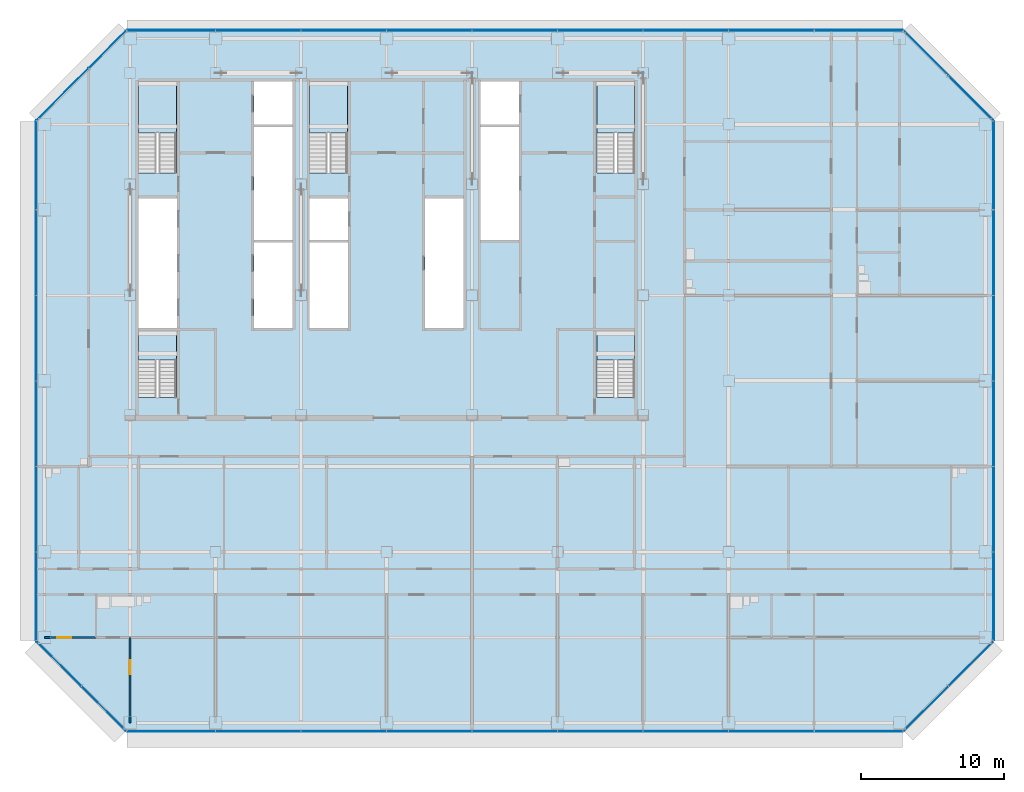
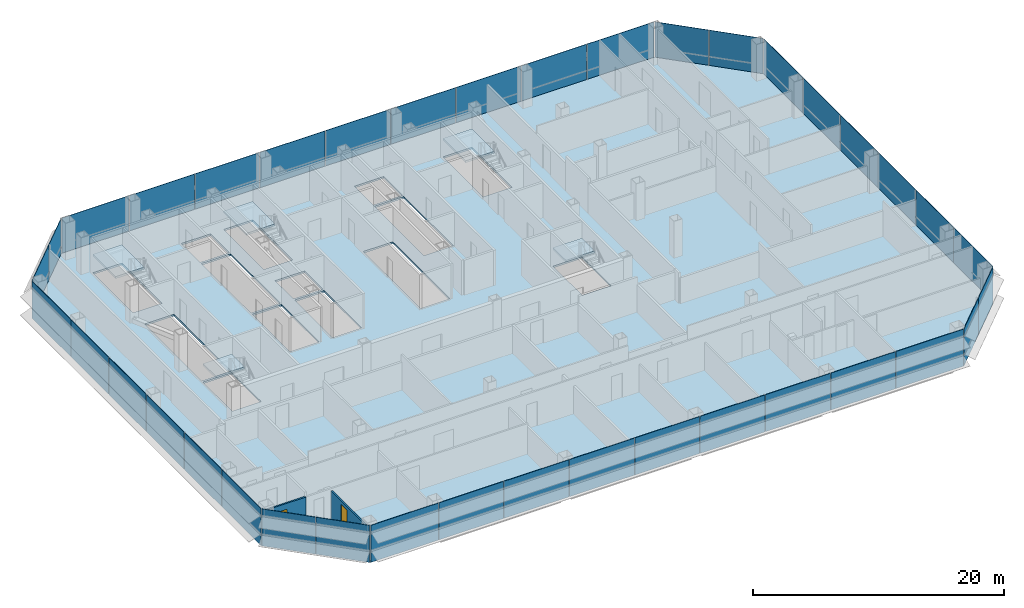
# One storey, part 19 of 27: 38 plates, 6 slabs, 2 doors, 2 walls, 2 openings, 13 elements without a shape of their own.
"""IFC4 building model written with IfcOpenShell, lengths in metres."""

from ifc_helpers import new_model, si_unit, direction, frame, frame_2d, origin, origin_2d, place, context, subcontext, project, spatial, polyline, rectangle, outline, extrude, material, layer, layer_set, type_object, element, fill, aggregate, save


model = new_model("IFC4")

# Units and contexts
model_context = context("Model", 3, precision=1e-05, world=origin(), true_north=direction((0.0, 1.0)))
body_context = subcontext(model_context, "Body", "Model", "MODEL_VIEW")
ifc_project = project(units=[si_unit("LENGTHUNIT", "METRE"), si_unit("AREAUNIT", "SQUARE_METRE"), si_unit("VOLUMEUNIT", "CUBIC_METRE"), si_unit("PLANEANGLEUNIT", "RADIAN"), si_unit("MASSUNIT", "GRAM", prefix="KILO")], contexts=[model_context])

# Site, building, storey
site_placement = place(None, origin())
site = spatial("IfcSite", under=ifc_project, at=site_placement, CompositionType="ELEMENT")
building_placement = place(site_placement, origin())
building = spatial("IfcBuilding", under=site, at=building_placement, Name="Sorahane Residences", CompositionType="ELEMENT")
storey_placement = place(building_placement, frame((0.0, 0.0, 75.0)))
storey = spatial("IfcBuildingStorey", under=building, at=storey_placement, Name="L15", CompositionType="ELEMENT", Elevation=75.0)

# Slab
ifc_material_1 = material(Name="Concrete C35", Category="concrete")
ifc_layer_1 = layer(ifc_material_1, 0.179931640625)
ifc_layer_set_1 = layer_set([ifc_layer_1], Name="Composite floor slab 180 mm Concrete C35")
slab_type_1 = type_object("IfcSlabType", Name="Composite floor slab 180 mm Concrete C35", PredefinedType="FLOOR", material=ifc_layer_set_1)
slab_1_placement = place(storey_placement, frame((0.0, 0.0, -0.179931640625)))
element("IfcSlab", 1, at=slab_1_placement, inside=storey, type_object=slab_type_1, Name="Slab L15", PredefinedType="FLOOR", context=body_context, shape_type="SweptSolid", body=[
    extrude(outline(polyline([(5.75146484375, -0.60009765625), (-0.60009765625, 5.75146484375), (-0.60009765625, 42.24853515625), (5.75146484375, 48.60009765625), (60.24853515625, 48.60009765625), (66.60009765625, 42.24853515625), (66.60009765625, 5.75146484375), (60.24853515625, -0.60009765625), (5.75146484375, -0.60009765625)]), holes=[polyline([(18.60009765625, 27.699951171875), (21.300048828125, 27.699951171875), (21.300048828125, 33.699951171875), (18.60009765625, 33.699951171875), (18.60009765625, 27.699951171875)]), polyline([(30.60009765625, 42.0), (33.300048828125, 42.0), (33.300048828125, 45.0), (30.60009765625, 45.0), (30.60009765625, 42.0)]), polyline([(14.699951171875, 27.699951171875), (17.39990234375, 27.699951171875), (17.39990234375, 33.699951171875), (14.699951171875, 33.699951171875), (14.699951171875, 27.699951171875)]), polyline([(14.699951171875, 42.0), (17.39990234375, 42.0), (17.39990234375, 45.0), (14.699951171875, 45.0), (14.699951171875, 42.0)]), polyline([(6.60009765625, 27.699951171875), (9.300048828125, 27.699951171875), (9.300048828125, 36.800048828125), (6.60009765625, 36.800048828125), (6.60009765625, 27.699951171875)]), polyline([(9.25, 38.60009765625), (9.25, 45.0), (6.60009765625, 45.0), (6.60009765625, 38.60009765625), (9.25, 38.60009765625)]), polyline([(41.39990234375, 38.60009765625), (41.39990234375, 45.0), (38.75, 45.0), (38.75, 38.60009765625), (41.39990234375, 38.60009765625)]), polyline([(21.25, 38.60009765625), (21.25, 45.0), (18.60009765625, 45.0), (18.60009765625, 38.60009765625), (21.25, 38.60009765625)]), polyline([(9.25, 22.85009765625), (9.25, 27.5), (6.60009765625, 27.5), (6.60009765625, 22.85009765625), (9.25, 22.85009765625)]), polyline([(41.39990234375, 22.85009765625), (41.39990234375, 27.5), (38.75, 27.5), (38.75, 22.85009765625), (41.39990234375, 22.85009765625)]), polyline([(14.699951171875, 33.89990234375), (17.39990234375, 33.89990234375), (17.39990234375, 41.800048828125), (14.699951171875, 41.800048828125), (14.699951171875, 33.89990234375)]), polyline([(30.60009765625, 33.89990234375), (33.300048828125, 33.89990234375), (33.300048828125, 41.800048828125), (30.60009765625, 41.800048828125), (30.60009765625, 33.89990234375)]), polyline([(18.60009765625, 33.89990234375), (21.300048828125, 33.89990234375), (21.300048828125, 36.800048828125), (18.60009765625, 36.800048828125), (18.60009765625, 33.89990234375)]), polyline([(26.699951171875, 27.699951171875), (29.39990234375, 27.699951171875), (29.39990234375, 36.800048828125), (26.699951171875, 36.800048828125), (26.699951171875, 27.699951171875)])]), origin(), (0.0, 0.0, 1.0), 0.179931640625),
])

# Curtain wall, plates
ifc_material_2 = material(Name="Dark low-e glass and black anodised aluminium", Category="aluminium")
curtain_wall_type_1 = type_object("IfcCurtainWallType", Name="Curtain wall CW-1 Typical unitised wall", PredefinedType="NOTDEFINED", material=ifc_material_2)
curtain_wall_1_placement = place(storey_placement, origin())
curtain_wall_1 = element("IfcCurtainWall", 2, at=curtain_wall_1_placement, inside=storey, type_object=curtain_wall_type_1, Name="CW-1 curtain wall L15 S1", PredefinedType="NOTDEFINED")
ifc_material_3 = material(Name="Dark low-e glass with black ceramic frit", Category="glass")
ifc_layer_2 = layer(ifc_material_3, 0.0400390625)
ifc_layer_set_2 = layer_set([ifc_layer_2], Name="Curtain wall glass panel dark low-e with black frit spandrel band")
plate_type = type_object("IfcPlateType", Name="Curtain wall glass panel dark low-e with black frit spandrel band", PredefinedType="CURTAIN_PANEL", material=ifc_layer_set_2)
plate_1_placement = place(storey_placement, frame((8.88818359375, -0.60009765625, -0.179931640625), z_axis=(0.0, 0.0, 1.0), x_axis=(1.0, 0.0, 0.0)))
plate_1 = element("IfcPlate", 3, at=plate_1_placement, type_object=plate_type, Name="CW-1 glass panel L15 S1.1", PredefinedType="CURTAIN_PANEL", context=body_context, shape_type="SweptSolid", body=[
    extrude(rectangle(XDim=6.173583984375, YDim=0.0400390625, at=origin_2d()), origin(), (0.0, 0.0, 1.0), 3.60009765625),
])
plate_2_placement = place(storey_placement, frame((15.0, -0.60009765625, -0.179931640625), z_axis=(0.0, 0.0, 1.0), x_axis=(1.0, 0.0, 0.0)))
plate_2 = element("IfcPlate", 4, at=plate_2_placement, type_object=plate_type, Name="CW-1 glass panel L15 S1.2", PredefinedType="CURTAIN_PANEL", context=body_context, shape_type="SweptSolid", body=[
    extrude(rectangle(XDim=5.949951171875, YDim=0.0400390625, at=origin_2d()), origin(), (0.0, 0.0, 1.0), 3.60009765625),
])
plate_3_placement = place(storey_placement, frame((21.0, -0.60009765625, -0.179931640625), z_axis=(0.0, 0.0, 1.0), x_axis=(1.0, 0.0, 0.0)))
plate_3 = element("IfcPlate", 5, at=plate_3_placement, type_object=plate_type, Name="CW-1 glass panel L15 S1.3", PredefinedType="CURTAIN_PANEL", context=body_context, shape_type="SweptSolid", body=[
    extrude(rectangle(XDim=5.949951171875, YDim=0.0400390625, at=origin_2d()), origin(), (0.0, 0.0, 1.0), 3.60009765625),
])
plate_4_placement = place(storey_placement, frame((27.0, -0.60009765625, -0.179931640625), z_axis=(0.0, 0.0, 1.0), x_axis=(1.0, 0.0, 0.0)))
plate_4 = element("IfcPlate", 6, at=plate_4_placement, type_object=plate_type, Name="CW-1 glass panel L15 S1.4", PredefinedType="CURTAIN_PANEL", context=body_context, shape_type="SweptSolid", body=[
    extrude(rectangle(XDim=5.949951171875, YDim=0.0400390625, at=origin_2d()), origin(), (0.0, 0.0, 1.0), 3.60009765625),
])
plate_5_placement = place(storey_placement, frame((33.0, -0.60009765625, -0.179931640625), z_axis=(0.0, 0.0, 1.0), x_axis=(1.0, 0.0, 0.0)))
plate_5 = element("IfcPlate", 7, at=plate_5_placement, type_object=plate_type, Name="CW-1 glass panel L15 S1.5", PredefinedType="CURTAIN_PANEL", context=body_context, shape_type="SweptSolid", body=[
    extrude(rectangle(XDim=5.949951171875, YDim=0.0400390625, at=origin_2d()), origin(), (0.0, 0.0, 1.0), 3.60009765625),
])
plate_6_placement = place(storey_placement, frame((39.0, -0.60009765625, -0.179931640625), z_axis=(0.0, 0.0, 1.0), x_axis=(1.0, 0.0, 0.0)))
plate_6 = element("IfcPlate", 8, at=plate_6_placement, type_object=plate_type, Name="CW-1 glass panel L15 S1.6", PredefinedType="CURTAIN_PANEL", context=body_context, shape_type="SweptSolid", body=[
    extrude(rectangle(XDim=5.949951171875, YDim=0.0400390625, at=origin_2d()), origin(), (0.0, 0.0, 1.0), 3.60009765625),
])
plate_7_placement = place(storey_placement, frame((45.0, -0.60009765625, -0.179931640625), z_axis=(0.0, 0.0, 1.0), x_axis=(1.0, 0.0, 0.0)))
plate_7 = element("IfcPlate", 9, at=plate_7_placement, type_object=plate_type, Name="CW-1 glass panel L15 S1.7", PredefinedType="CURTAIN_PANEL", context=body_context, shape_type="SweptSolid", body=[
    extrude(rectangle(XDim=5.949951171875, YDim=0.0400390625, at=origin_2d()), origin(), (0.0, 0.0, 1.0), 3.60009765625),
])
plate_8_placement = place(storey_placement, frame((51.0, -0.60009765625, -0.179931640625), z_axis=(0.0, 0.0, 1.0), x_axis=(1.0, 0.0, 0.0)))
plate_8 = element("IfcPlate", 10, at=plate_8_placement, type_object=plate_type, Name="CW-1 glass panel L15 S1.8", PredefinedType="CURTAIN_PANEL", context=body_context, shape_type="SweptSolid", body=[
    extrude(rectangle(XDim=5.949951171875, YDim=0.0400390625, at=origin_2d()), origin(), (0.0, 0.0, 1.0), 3.60009765625),
])
plate_9_placement = place(storey_placement, frame((57.11181640625, -0.60009765625, -0.179931640625), z_axis=(0.0, 0.0, 1.0), x_axis=(1.0, 0.0, 0.0)))
plate_9 = element("IfcPlate", 11, at=plate_9_placement, type_object=plate_type, Name="CW-1 glass panel L15 S1.9", PredefinedType="CURTAIN_PANEL", context=body_context, shape_type="SweptSolid", body=[
    extrude(rectangle(XDim=6.173583984375, YDim=0.0400390625, at=origin_2d()), origin(), (0.0, 0.0, 1.0), 3.60009765625),
])
aggregate(curtain_wall_1, [plate_1, plate_2, plate_3, plate_4, plate_5, plate_6, plate_7, plate_8, plate_9])

ifc_material_4 = material(Name="Dark low-e glass and black anodised aluminium", Category="aluminium")
curtain_wall_type_2 = type_object("IfcCurtainWallType", Name="Curtain wall CW-2 Chamfer unitised wall", PredefinedType="NOTDEFINED", material=ifc_material_4)
curtain_wall_2_placement = place(storey_placement, origin())
curtain_wall_2 = element("IfcCurtainWall", 12, at=curtain_wall_2_placement, inside=storey, type_object=curtain_wall_type_2, Name="CW-2 curtain wall L15 SE1", PredefinedType="NOTDEFINED")
plate_10_placement = place(storey_placement, frame((61.84521484375, 0.996826171875, -0.179931640625), z_axis=(0.0, 0.0, 1.0), x_axis=(0.707106781187, 0.707106781187, 0.0)))
plate_10 = element("IfcPlate", 13, at=plate_10_placement, type_object=plate_type, Name="CW-2 glass panel L15 SE1.1", PredefinedType="CURTAIN_PANEL", context=body_context, shape_type="SweptSolid", body=[
    extrude(rectangle(XDim=4.416259765625, YDim=0.0400390625, at=origin_2d()), origin(), (0.0, 0.0, 1.0), 3.60009765625),
])
plate_11_placement = place(storey_placement, frame((65.003173828125, 4.15478515625, -0.179931640625), z_axis=(0.0, 0.0, 1.0), x_axis=(0.707106781187, 0.707106781187, 0.0)))
plate_11 = element("IfcPlate", 14, at=plate_11_placement, type_object=plate_type, Name="CW-2 glass panel L15 SE1.2", PredefinedType="CURTAIN_PANEL", context=body_context, shape_type="SweptSolid", body=[
    extrude(rectangle(XDim=4.416259765625, YDim=0.0400390625, at=origin_2d()), origin(), (0.0, 0.0, 1.0), 3.60009765625),
])
aggregate(curtain_wall_2, [plate_10, plate_11])

curtain_wall_3_placement = place(storey_placement, origin())
curtain_wall_3 = element("IfcCurtainWall", 15, at=curtain_wall_3_placement, inside=storey, type_object=curtain_wall_type_1, Name="CW-1 curtain wall L15 E1", PredefinedType="NOTDEFINED")
plate_12_placement = place(storey_placement, frame((66.60009765625, 8.88818359375, -0.179931640625), z_axis=(0.0, 0.0, 1.0), x_axis=(0.0, 1.0, 0.0)))
plate_12 = element("IfcPlate", 16, at=plate_12_placement, type_object=plate_type, Name="CW-1 glass panel L15 E1.1", PredefinedType="CURTAIN_PANEL", context=body_context, shape_type="SweptSolid", body=[
    extrude(rectangle(XDim=6.173583984375, YDim=0.0400390625, at=origin_2d()), origin(), (0.0, 0.0, 1.0), 3.60009765625),
])
plate_13_placement = place(storey_placement, frame((66.60009765625, 15.0, -0.179931640625), z_axis=(0.0, 0.0, 1.0), x_axis=(0.0, 1.0, 0.0)))
plate_13 = element("IfcPlate", 17, at=plate_13_placement, type_object=plate_type, Name="CW-1 glass panel L15 E1.2", PredefinedType="CURTAIN_PANEL", context=body_context, shape_type="SweptSolid", body=[
    extrude(rectangle(XDim=5.949951171875, YDim=0.0400390625, at=origin_2d()), origin(), (0.0, 0.0, 1.0), 3.60009765625),
])
plate_14_placement = place(storey_placement, frame((66.60009765625, 21.0, -0.179931640625), z_axis=(0.0, 0.0, 1.0), x_axis=(0.0, 1.0, 0.0)))
plate_14 = element("IfcPlate", 18, at=plate_14_placement, type_object=plate_type, Name="CW-1 glass panel L15 E1.3", PredefinedType="CURTAIN_PANEL", context=body_context, shape_type="SweptSolid", body=[
    extrude(rectangle(XDim=5.949951171875, YDim=0.0400390625, at=origin_2d()), origin(), (0.0, 0.0, 1.0), 3.60009765625),
])
plate_15_placement = place(storey_placement, frame((66.60009765625, 27.0, -0.179931640625), z_axis=(0.0, 0.0, 1.0), x_axis=(0.0, 1.0, 0.0)))
plate_15 = element("IfcPlate", 19, at=plate_15_placement, type_object=plate_type, Name="CW-1 glass panel L15 E1.4", PredefinedType="CURTAIN_PANEL", context=body_context, shape_type="SweptSolid", body=[
    extrude(rectangle(XDim=5.949951171875, YDim=0.0400390625, at=origin_2d()), origin(), (0.0, 0.0, 1.0), 3.60009765625),
])
plate_16_placement = place(storey_placement, frame((66.60009765625, 33.0, -0.179931640625), z_axis=(0.0, 0.0, 1.0), x_axis=(0.0, 1.0, 0.0)))
plate_16 = element("IfcPlate", 20, at=plate_16_placement, type_object=plate_type, Name="CW-1 glass panel L15 E1.5", PredefinedType="CURTAIN_PANEL", context=body_context, shape_type="SweptSolid", body=[
    extrude(rectangle(XDim=5.949951171875, YDim=0.0400390625, at=origin_2d()), origin(), (0.0, 0.0, 1.0), 3.60009765625),
])
plate_17_placement = place(storey_placement, frame((66.60009765625, 39.11181640625, -0.179931640625), z_axis=(0.0, 0.0, 1.0), x_axis=(0.0, 1.0, 0.0)))
plate_17 = element("IfcPlate", 21, at=plate_17_placement, type_object=plate_type, Name="CW-1 glass panel L15 E1.6", PredefinedType="CURTAIN_PANEL", context=body_context, shape_type="SweptSolid", body=[
    extrude(rectangle(XDim=6.173583984375, YDim=0.0400390625, at=origin_2d()), origin(), (0.0, 0.0, 1.0), 3.60009765625),
])
aggregate(curtain_wall_3, [plate_12, plate_13, plate_14, plate_15, plate_16, plate_17])

curtain_wall_4_placement = place(storey_placement, origin())
curtain_wall_4 = element("IfcCurtainWall", 22, at=curtain_wall_4_placement, inside=storey, type_object=curtain_wall_type_2, Name="CW-2 curtain wall L15 NE1", PredefinedType="NOTDEFINED")
plate_18_placement = place(storey_placement, frame((65.003173828125, 43.84521484375, -0.179931640625), z_axis=(0.0, 0.0, 1.0), x_axis=(-0.707106781187, 0.707106781187, 0.0)))
plate_18 = element("IfcPlate", 23, at=plate_18_placement, type_object=plate_type, Name="CW-2 glass panel L15 NE1.1", PredefinedType="CURTAIN_PANEL", context=body_context, shape_type="SweptSolid", body=[
    extrude(rectangle(XDim=4.416259765625, YDim=0.0400390625, at=origin_2d()), origin(), (0.0, 0.0, 1.0), 3.60009765625),
])
plate_19_placement = place(storey_placement, frame((61.84521484375, 47.003173828125, -0.179931640625), z_axis=(0.0, 0.0, 1.0), x_axis=(-0.707106781187, 0.707106781187, 0.0)))
plate_19 = element("IfcPlate", 24, at=plate_19_placement, type_object=plate_type, Name="CW-2 glass panel L15 NE1.2", PredefinedType="CURTAIN_PANEL", context=body_context, shape_type="SweptSolid", body=[
    extrude(rectangle(XDim=4.416259765625, YDim=0.0400390625, at=origin_2d()), origin(), (0.0, 0.0, 1.0), 3.60009765625),
])
aggregate(curtain_wall_4, [plate_18, plate_19])

curtain_wall_5_placement = place(storey_placement, origin())
curtain_wall_5 = element("IfcCurtainWall", 25, at=curtain_wall_5_placement, inside=storey, type_object=curtain_wall_type_1, Name="CW-1 curtain wall L15 N1", PredefinedType="NOTDEFINED")
plate_20_placement = place(storey_placement, frame((57.11181640625, 48.60009765625, -0.179931640625), z_axis=(0.0, 0.0, 1.0), x_axis=(-1.0, 0.0, 0.0)))
plate_20 = element("IfcPlate", 26, at=plate_20_placement, type_object=plate_type, Name="CW-1 glass panel L15 N1.1", PredefinedType="CURTAIN_PANEL", context=body_context, shape_type="SweptSolid", body=[
    extrude(rectangle(XDim=6.173583984375, YDim=0.0400390625, at=origin_2d()), origin(), (0.0, 0.0, 1.0), 3.60009765625),
])
plate_21_placement = place(storey_placement, frame((51.0, 48.60009765625, -0.179931640625), z_axis=(0.0, 0.0, 1.0), x_axis=(-1.0, 0.0, 0.0)))
plate_21 = element("IfcPlate", 27, at=plate_21_placement, type_object=plate_type, Name="CW-1 glass panel L15 N1.2", PredefinedType="CURTAIN_PANEL", context=body_context, shape_type="SweptSolid", body=[
    extrude(rectangle(XDim=5.949951171875, YDim=0.0400390625, at=origin_2d()), origin(), (0.0, 0.0, 1.0), 3.60009765625),
])
plate_22_placement = place(storey_placement, frame((45.0, 48.60009765625, -0.179931640625), z_axis=(0.0, 0.0, 1.0), x_axis=(-1.0, 0.0, 0.0)))
plate_22 = element("IfcPlate", 28, at=plate_22_placement, type_object=plate_type, Name="CW-1 glass panel L15 N1.3", PredefinedType="CURTAIN_PANEL", context=body_context, shape_type="SweptSolid", body=[
    extrude(rectangle(XDim=5.949951171875, YDim=0.0400390625, at=origin_2d()), origin(), (0.0, 0.0, 1.0), 3.60009765625),
])
plate_23_placement = place(storey_placement, frame((39.0, 48.60009765625, -0.179931640625), z_axis=(0.0, 0.0, 1.0), x_axis=(-1.0, 0.0, 0.0)))
plate_23 = element("IfcPlate", 29, at=plate_23_placement, type_object=plate_type, Name="CW-1 glass panel L15 N1.4", PredefinedType="CURTAIN_PANEL", context=body_context, shape_type="SweptSolid", body=[
    extrude(rectangle(XDim=5.949951171875, YDim=0.0400390625, at=origin_2d()), origin(), (0.0, 0.0, 1.0), 3.60009765625),
])
plate_24_placement = place(storey_placement, frame((33.0, 48.60009765625, -0.179931640625), z_axis=(0.0, 0.0, 1.0), x_axis=(-1.0, 0.0, 0.0)))
plate_24 = element("IfcPlate", 30, at=plate_24_placement, type_object=plate_type, Name="CW-1 glass panel L15 N1.5", PredefinedType="CURTAIN_PANEL", context=body_context, shape_type="SweptSolid", body=[
    extrude(rectangle(XDim=5.949951171875, YDim=0.0400390625, at=origin_2d()), origin(), (0.0, 0.0, 1.0), 3.60009765625),
])
plate_25_placement = place(storey_placement, frame((27.0, 48.60009765625, -0.179931640625), z_axis=(0.0, 0.0, 1.0), x_axis=(-1.0, 0.0, 0.0)))
plate_25 = element("IfcPlate", 31, at=plate_25_placement, type_object=plate_type, Name="CW-1 glass panel L15 N1.6", PredefinedType="CURTAIN_PANEL", context=body_context, shape_type="SweptSolid", body=[
    extrude(rectangle(XDim=5.949951171875, YDim=0.0400390625, at=origin_2d()), origin(), (0.0, 0.0, 1.0), 3.60009765625),
])
plate_26_placement = place(storey_placement, frame((21.0, 48.60009765625, -0.179931640625), z_axis=(0.0, 0.0, 1.0), x_axis=(-1.0, 0.0, 0.0)))
plate_26 = element("IfcPlate", 32, at=plate_26_placement, type_object=plate_type, Name="CW-1 glass panel L15 N1.7", PredefinedType="CURTAIN_PANEL", context=body_context, shape_type="SweptSolid", body=[
    extrude(rectangle(XDim=5.949951171875, YDim=0.0400390625, at=origin_2d()), origin(), (0.0, 0.0, 1.0), 3.60009765625),
])
plate_27_placement = place(storey_placement, frame((15.0, 48.60009765625, -0.179931640625), z_axis=(0.0, 0.0, 1.0), x_axis=(-1.0, 0.0, 0.0)))
plate_27 = element("IfcPlate", 33, at=plate_27_placement, type_object=plate_type, Name="CW-1 glass panel L15 N1.8", PredefinedType="CURTAIN_PANEL", context=body_context, shape_type="SweptSolid", body=[
    extrude(rectangle(XDim=5.949951171875, YDim=0.0400390625, at=origin_2d()), origin(), (0.0, 0.0, 1.0), 3.60009765625),
])
plate_28_placement = place(storey_placement, frame((8.88818359375, 48.60009765625, -0.179931640625), z_axis=(0.0, 0.0, 1.0), x_axis=(-1.0, 0.0, 0.0)))
plate_28 = element("IfcPlate", 34, at=plate_28_placement, type_object=plate_type, Name="CW-1 glass panel L15 N1.9", PredefinedType="CURTAIN_PANEL", context=body_context, shape_type="SweptSolid", body=[
    extrude(rectangle(XDim=6.173583984375, YDim=0.0400390625, at=origin_2d()), origin(), (0.0, 0.0, 1.0), 3.60009765625),
])
aggregate(curtain_wall_5, [plate_20, plate_21, plate_22, plate_23, plate_24, plate_25, plate_26, plate_27, plate_28])

curtain_wall_6_placement = place(storey_placement, origin())
curtain_wall_6 = element("IfcCurtainWall", 35, at=curtain_wall_6_placement, inside=storey, type_object=curtain_wall_type_2, Name="CW-2 curtain wall L15 NW1", PredefinedType="NOTDEFINED")
plate_29_placement = place(storey_placement, frame((4.4169921875, 47.265625, -0.179931640625), z_axis=(0.0, 0.0, 1.0), x_axis=(-0.707106781187, -0.707106781187, 0.0)))
plate_29 = element("IfcPlate", 36, at=plate_29_placement, type_object=plate_type, Name="CW-2 glass panel L15 NW1.1", PredefinedType="CURTAIN_PANEL", context=body_context, shape_type="SweptSolid", body=[
    extrude(rectangle(XDim=3.67431640625, YDim=0.0400390625, at=origin_2d()), origin(), (0.0, 0.0, 1.0), 3.60009765625),
])
plate_30_placement = place(storey_placement, frame((1.259033203125, 44.107421875, -0.179931640625), z_axis=(0.0, 0.0, 1.0), x_axis=(-0.707106781187, -0.707106781187, 0.0)))
plate_30 = element("IfcPlate", 37, at=plate_30_placement, type_object=plate_type, Name="CW-2 glass panel L15 NW1.2", PredefinedType="CURTAIN_PANEL", context=body_context, shape_type="SweptSolid", body=[
    extrude(rectangle(XDim=5.157958984375, YDim=0.0400390625, at=origin_2d()), origin(), (0.0, 0.0, 1.0), 3.60009765625),
])
aggregate(curtain_wall_6, [plate_29, plate_30])

curtain_wall_7_placement = place(storey_placement, origin())
curtain_wall_7 = element("IfcCurtainWall", 38, at=curtain_wall_7_placement, inside=storey, type_object=curtain_wall_type_1, Name="CW-1 curtain wall L15 W1", PredefinedType="NOTDEFINED")
plate_31_placement = place(storey_placement, frame((-0.60009765625, 39.11181640625, -0.179931640625), z_axis=(0.0, 0.0, 1.0), x_axis=(0.0, -1.0, 0.0)))
plate_31 = element("IfcPlate", 39, at=plate_31_placement, type_object=plate_type, Name="CW-1 glass panel L15 W1.1", PredefinedType="CURTAIN_PANEL", context=body_context, shape_type="SweptSolid", body=[
    extrude(rectangle(XDim=6.173583984375, YDim=0.0400390625, at=origin_2d()), origin(), (0.0, 0.0, 1.0), 3.60009765625),
])
plate_32_placement = place(storey_placement, frame((-0.60009765625, 33.0, -0.179931640625), z_axis=(0.0, 0.0, 1.0), x_axis=(0.0, -1.0, 0.0)))
plate_32 = element("IfcPlate", 40, at=plate_32_placement, type_object=plate_type, Name="CW-1 glass panel L15 W1.2", PredefinedType="CURTAIN_PANEL", context=body_context, shape_type="SweptSolid", body=[
    extrude(rectangle(XDim=5.949951171875, YDim=0.0400390625, at=origin_2d()), origin(), (0.0, 0.0, 1.0), 3.60009765625),
])
plate_33_placement = place(storey_placement, frame((-0.60009765625, 27.0, -0.179931640625), z_axis=(0.0, 0.0, 1.0), x_axis=(0.0, -1.0, 0.0)))
plate_33 = element("IfcPlate", 41, at=plate_33_placement, type_object=plate_type, Name="CW-1 glass panel L15 W1.3", PredefinedType="CURTAIN_PANEL", context=body_context, shape_type="SweptSolid", body=[
    extrude(rectangle(XDim=5.949951171875, YDim=0.0400390625, at=origin_2d()), origin(), (0.0, 0.0, 1.0), 3.60009765625),
])
plate_34_placement = place(storey_placement, frame((-0.60009765625, 21.0, -0.179931640625), z_axis=(0.0, 0.0, 1.0), x_axis=(0.0, -1.0, 0.0)))
plate_34 = element("IfcPlate", 42, at=plate_34_placement, type_object=plate_type, Name="CW-1 glass panel L15 W1.4", PredefinedType="CURTAIN_PANEL", context=body_context, shape_type="SweptSolid", body=[
    extrude(rectangle(XDim=5.949951171875, YDim=0.0400390625, at=origin_2d()), origin(), (0.0, 0.0, 1.0), 3.60009765625),
])
plate_35_placement = place(storey_placement, frame((-0.60009765625, 15.0, -0.179931640625), z_axis=(0.0, 0.0, 1.0), x_axis=(0.0, -1.0, 0.0)))
plate_35 = element("IfcPlate", 43, at=plate_35_placement, type_object=plate_type, Name="CW-1 glass panel L15 W1.5", PredefinedType="CURTAIN_PANEL", context=body_context, shape_type="SweptSolid", body=[
    extrude(rectangle(XDim=5.949951171875, YDim=0.0400390625, at=origin_2d()), origin(), (0.0, 0.0, 1.0), 3.60009765625),
])
plate_36_placement = place(storey_placement, frame((-0.60009765625, 8.88818359375, -0.179931640625), z_axis=(0.0, 0.0, 1.0), x_axis=(0.0, -1.0, 0.0)))
plate_36 = element("IfcPlate", 44, at=plate_36_placement, type_object=plate_type, Name="CW-1 glass panel L15 W1.6", PredefinedType="CURTAIN_PANEL", context=body_context, shape_type="SweptSolid", body=[
    extrude(rectangle(XDim=6.173583984375, YDim=0.0400390625, at=origin_2d()), origin(), (0.0, 0.0, 1.0), 3.60009765625),
])
aggregate(curtain_wall_7, [plate_31, plate_32, plate_33, plate_34, plate_35, plate_36])

curtain_wall_8_placement = place(storey_placement, origin())
curtain_wall_8 = element("IfcCurtainWall", 45, at=curtain_wall_8_placement, inside=storey, type_object=curtain_wall_type_2, Name="CW-2 curtain wall L15 SW1", PredefinedType="NOTDEFINED")
plate_37_placement = place(storey_placement, frame((0.996826171875, 4.15478515625, -0.179931640625), z_axis=(0.0, 0.0, 1.0), x_axis=(0.707106781187, -0.707106781187, 0.0)))
plate_37 = element("IfcPlate", 46, at=plate_37_placement, type_object=plate_type, Name="CW-2 glass panel L15 SW1.1", PredefinedType="CURTAIN_PANEL", context=body_context, shape_type="SweptSolid", body=[
    extrude(rectangle(XDim=4.416259765625, YDim=0.0400390625, at=origin_2d()), origin(), (0.0, 0.0, 1.0), 3.60009765625),
])
plate_38_placement = place(storey_placement, frame((4.15478515625, 0.996826171875, -0.179931640625), z_axis=(0.0, 0.0, 1.0), x_axis=(0.707106781187, -0.707106781187, 0.0)))
plate_38 = element("IfcPlate", 47, at=plate_38_placement, type_object=plate_type, Name="CW-2 glass panel L15 SW1.2", PredefinedType="CURTAIN_PANEL", context=body_context, shape_type="SweptSolid", body=[
    extrude(rectangle(XDim=4.416259765625, YDim=0.0400390625, at=origin_2d()), origin(), (0.0, 0.0, 1.0), 3.60009765625),
])
aggregate(curtain_wall_8, [plate_37, plate_38])

# Stair, slab
ifc_material_5 = material(Name="Concrete C40", Category="concrete")
stair_type = type_object("IfcStairType", Name="Dog-leg stair 1250 Concrete C40", PredefinedType="HALF_TURN_STAIR", material=ifc_material_5)
stair_1_placement = place(storey_placement, origin())
stair_1 = element("IfcStair", 48, at=stair_1_placement, inside=storey, type_object=stair_type, Name="L15 Stair S1", PredefinedType="HALF_TURN_STAIR")
ifc_material_6 = material(Name="Concrete C40", Category="concrete")
ifc_layer_3 = layer(ifc_material_6, 0.199951171875)
ifc_layer_set_3 = layer_set([ifc_layer_3], Name="Stair landing 200 Concrete C40")
slab_type_2 = type_object("IfcSlabType", Name="Stair landing 200 Concrete C40", PredefinedType="LANDING", material=ifc_layer_set_3)
slab_2_placement = place(storey_placement, frame((0.0, 0.0, 1.60009765625)))
slab_2 = element("IfcSlab", 49, at=slab_2_placement, type_object=slab_type_2, Name="S1 landing 1", PredefinedType="LANDING", context=body_context, shape_type="SweptSolid", body=[
    extrude(outline(polyline([(9.25, 41.39990234375), (9.25, 45.0), (6.60009765625, 45.0), (6.60009765625, 41.39990234375), (9.25, 41.39990234375)])), origin(), (0.0, 0.0, 1.0), 0.199951171875),
])
aggregate(stair_1, [slab_2])

stair_2_placement = place(storey_placement, origin())
stair_2 = element("IfcStair", 50, at=stair_2_placement, inside=storey, type_object=stair_type, Name="L15 Stair S2", PredefinedType="HALF_TURN_STAIR")
slab_3_placement = place(storey_placement, frame((0.0, 0.0, 1.60009765625)))
slab_3 = element("IfcSlab", 51, at=slab_3_placement, type_object=slab_type_2, Name="S2 landing 1", PredefinedType="LANDING", context=body_context, shape_type="SweptSolid", body=[
    extrude(outline(polyline([(41.39990234375, 41.39990234375), (41.39990234375, 45.0), (38.75, 45.0), (38.75, 41.39990234375), (41.39990234375, 41.39990234375)])), origin(), (0.0, 0.0, 1.0), 0.199951171875),
])
aggregate(stair_2, [slab_3])

stair_3_placement = place(storey_placement, origin())
stair_3 = element("IfcStair", 52, at=stair_3_placement, inside=storey, type_object=stair_type, Name="L15 Stair S3", PredefinedType="HALF_TURN_STAIR")
slab_4_placement = place(storey_placement, frame((0.0, 0.0, 1.60009765625)))
slab_4 = element("IfcSlab", 53, at=slab_4_placement, type_object=slab_type_2, Name="S3 landing 1", PredefinedType="LANDING", context=body_context, shape_type="SweptSolid", body=[
    extrude(outline(polyline([(21.25, 41.39990234375), (21.25, 45.0), (18.60009765625, 45.0), (18.60009765625, 41.39990234375), (21.25, 41.39990234375)])), origin(), (0.0, 0.0, 1.0), 0.199951171875),
])
aggregate(stair_3, [slab_4])

stair_4_placement = place(storey_placement, origin())
stair_4 = element("IfcStair", 54, at=stair_4_placement, inside=storey, type_object=stair_type, Name="L15 Stair S4", PredefinedType="HALF_TURN_STAIR")
slab_5_placement = place(storey_placement, frame((0.0, 0.0, 1.60009765625)))
slab_5 = element("IfcSlab", 55, at=slab_5_placement, type_object=slab_type_2, Name="S4 landing 1", PredefinedType="LANDING", context=body_context, shape_type="SweptSolid", body=[
    extrude(outline(polyline([(9.25, 25.449951171875), (9.25, 27.5), (6.60009765625, 27.5), (6.60009765625, 25.449951171875), (9.25, 25.449951171875)])), origin(), (0.0, 0.0, 1.0), 0.199951171875),
])
aggregate(stair_4, [slab_5])

stair_5_placement = place(storey_placement, origin())
stair_5 = element("IfcStair", 56, at=stair_5_placement, inside=storey, type_object=stair_type, Name="L15 Stair S5", PredefinedType="HALF_TURN_STAIR")
slab_6_placement = place(storey_placement, frame((0.0, 0.0, 1.60009765625)))
slab_6 = element("IfcSlab", 57, at=slab_6_placement, type_object=slab_type_2, Name="S5 landing 1", PredefinedType="LANDING", context=body_context, shape_type="SweptSolid", body=[
    extrude(outline(polyline([(41.39990234375, 25.449951171875), (41.39990234375, 27.5), (38.75, 27.5), (38.75, 25.449951171875), (41.39990234375, 25.449951171875)])), origin(), (0.0, 0.0, 1.0), 0.199951171875),
])
aggregate(stair_5, [slab_6])

# Wall, opening, door
ifc_material_7 = material(Name="Gypsum board partition on steel studs", Category="steel")
ifc_layer_4 = layer(ifc_material_7, 0.14990234375)
ifc_layer_set_4 = layer_set([ifc_layer_4], Name="Partition 150 EI 90")
wall_type = type_object("IfcWallType", Name="Partition 150 EI 90", PredefinedType="PARTITIONING", material=ifc_layer_set_4)
wall_1_placement = place(storey_placement, frame((6.0, 0.0, 0.0), z_axis=(0.0, 0.0, 1.0), x_axis=(0.0, 1.0, 0.0)))
wall_1 = element("IfcWall", 58, at=wall_1_placement, inside=storey, type_object=wall_type, Name="L15 partition", PredefinedType="PARTITIONING", context=body_context, shape_type="SweptSolid", body=[
    extrude(rectangle(XDim=6.0, YDim=0.14990234375, at=frame_2d((3.0, 0.0))), origin(), (0.0, 0.0, 1.0), 2.719970703125),
])
opening_1_placement = place(wall_1_placement, frame((3.39990234375, 0.0, 0.0)))
opening_1 = element("IfcOpeningElement", 59, at=opening_1_placement, cuts=wall_1, Name="Opening L15-10", PredefinedType="OPENING", context=body_context, shape_type="SweptSolid", body=[
    extrude(rectangle(XDim=1.0, YDim=2.39990234375, at=frame_2d((0.5, 1.199951171875))), frame((0.0, 0.0849609375, 0.0), z_axis=(0.0, -1.0, 0.0), x_axis=(1.0, 0.0, 0.0)), (0.0, 0.0, 1.0), 0.169921875),
])
ifc_material_8 = material(Name="Timber veneered fire door", Category="wood")
door_type = type_object("IfcDoorType", Name="Room door 1000x2400 FD30", OperationType="NOTDEFINED", PredefinedType="DOOR", material=ifc_material_8)
door_1_placement = place(opening_1_placement, frame((1.0, 0.0, 0.0), z_axis=(0.0, 0.0, 1.0), x_axis=(-1.0, 0.0, 0.0)))
door_1 = element("IfcDoor", 60, at=door_1_placement, inside=storey, type_object=door_type, Name="Room door L15-10", OperationType="SINGLE_SWING_LEFT", OverallHeight=2.39990234375, OverallWidth=1.0, PredefinedType="DOOR", context=body_context, shape_type="SweptSolid", body=[
    extrude(rectangle(XDim=1.0, YDim=2.39990234375, at=frame_2d((0.5, 1.199951171875))), frame((0.0, 0.02490234375, 0.0), z_axis=(0.0, -1.0, 0.0), x_axis=(1.0, 0.0, 0.0)), (0.0, 0.0, 1.0), 0.050048828125),
])
fill(opening_1, door_1)

wall_2_placement = place(storey_placement, frame((0.0, 6.0, 0.0), z_axis=(0.0, 0.0, 1.0), x_axis=(1.0, 0.0, 0.0)))
wall_2 = element("IfcWall", 61, at=wall_2_placement, inside=storey, type_object=wall_type, Name="L15 partition", PredefinedType="PARTITIONING", context=body_context, shape_type="SweptSolid", body=[
    extrude(rectangle(XDim=3.60009765625, YDim=0.14990234375, at=frame_2d((1.800048828125, 0.0))), origin(), (0.0, 0.0, 1.0), 2.969970703125),
])
opening_2_placement = place(wall_2_placement, frame((0.8798828125, 0.0, 0.0)))
opening_2 = element("IfcOpeningElement", 62, at=opening_2_placement, cuts=wall_2, Name="Opening L15-09", PredefinedType="OPENING", context=body_context, shape_type="SweptSolid", body=[
    extrude(rectangle(XDim=1.0, YDim=2.39990234375, at=frame_2d((0.5, 1.199951171875))), frame((0.0, 0.0849609375, 0.0), z_axis=(0.0, -1.0, 0.0), x_axis=(1.0, 0.0, 0.0)), (0.0, 0.0, 1.0), 0.169921875),
])
door_2_placement = place(opening_2_placement, frame((1.0, 0.0, 0.0), z_axis=(0.0, 0.0, 1.0), x_axis=(-1.0, 0.0, 0.0)))
door_2 = element("IfcDoor", 63, at=door_2_placement, inside=storey, type_object=door_type, Name="Room door L15-09", OperationType="SINGLE_SWING_RIGHT", OverallHeight=2.39990234375, OverallWidth=1.0, PredefinedType="DOOR", context=body_context, shape_type="SweptSolid", body=[
    extrude(rectangle(XDim=1.0, YDim=2.39990234375, at=frame_2d((0.5, 1.199951171875))), frame((0.0, 0.02490234375, 0.0), z_axis=(0.0, -1.0, 0.0), x_axis=(1.0, 0.0, 0.0)), (0.0, 0.0, 1.0), 0.050048828125),
])
fill(opening_2, door_2)

save(model, "model.ifc")
